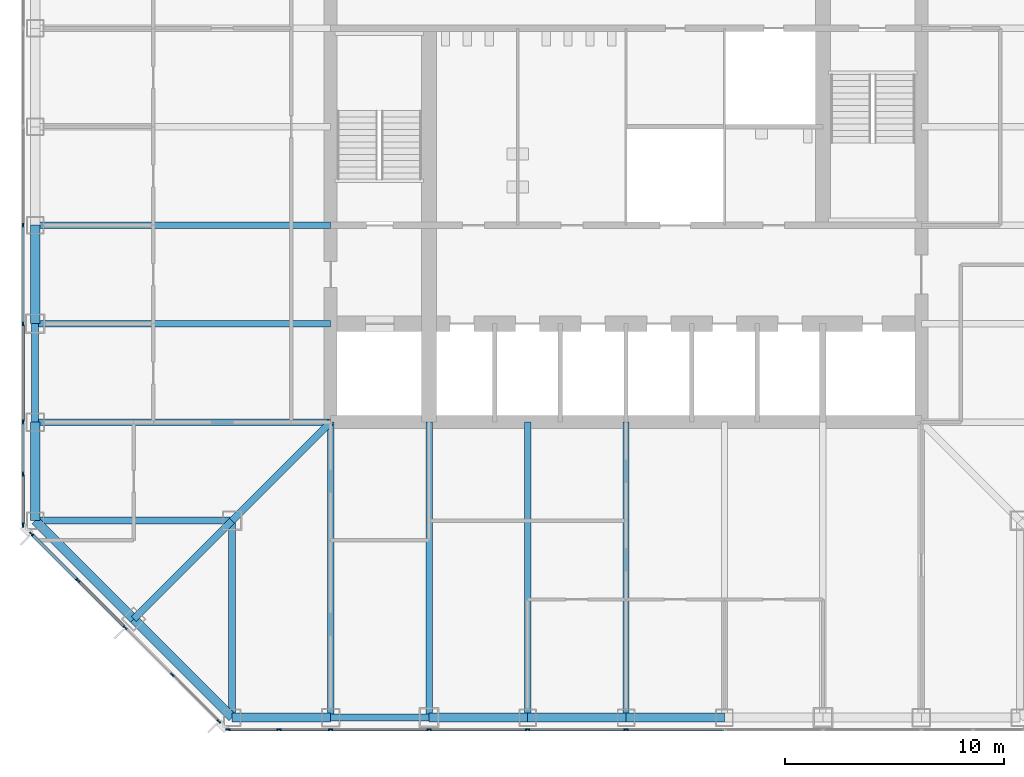
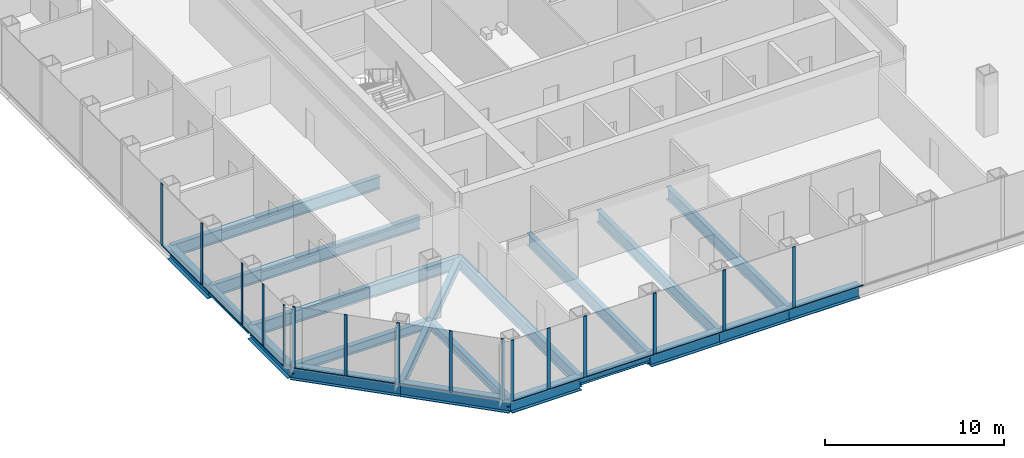
# One storey, part 2 of 12: 28 members, 21 beams, 3 elements without a shape of their own.
"""IFC4 building model written with IfcOpenShell, lengths in metres."""

from ifc_helpers import new_model, si_unit, direction, frame, origin, origin_2d, place, context, subcontext, project, spatial, rectangle, i_section, extrude, material, material_profile, profile_set, type_object, element, aggregate, save


model = new_model("IFC4")

# Units and contexts
model_context = context("Model", 3, precision=1e-05, world=origin(), true_north=direction((0.0, 1.0)))
body_context = subcontext(model_context, "Body", "Model", "MODEL_VIEW")
ifc_project = project(units=[si_unit("LENGTHUNIT", "METRE"), si_unit("AREAUNIT", "SQUARE_METRE"), si_unit("VOLUMEUNIT", "CUBIC_METRE"), si_unit("PLANEANGLEUNIT", "RADIAN"), si_unit("MASSUNIT", "GRAM", prefix="KILO")], contexts=[model_context])

# Site, building, storey
site_placement = place(None, origin())
site = spatial("IfcSite", under=ifc_project, at=site_placement, CompositionType="ELEMENT")
building_placement = place(site_placement, origin())
building = spatial("IfcBuilding", under=site, at=building_placement, Name="Corais Broadcast Tower", CompositionType="ELEMENT")
storey_placement = place(building_placement, frame((0.0, 0.0, 92.0)))
storey = spatial("IfcBuildingStorey", under=building, at=storey_placement, Name="L20", CompositionType="ELEMENT", Elevation=92.0)

# Beams
ifc_material_1 = material(Name="Steel ASTM A572 Grade 50", Category="steel")
ifc_material_profile_1 = material_profile(ifc_material_1, i_section(OverallWidth=0.323974609375, OverallDepth=0.611083984375, WebThickness=0.0126953125, FlangeThickness=0.01904296875, at=origin_2d()), Name="W610x155")
ifc_profile_set_1 = profile_set([ifc_material_profile_1], Name="Steel ASTM A572 Grade 50")
beam_type_1 = type_object("IfcBeamType", Name="Chamfer tie W610x155", PredefinedType="BEAM", material=ifc_profile_set_1)
beam_1_placement = place(storey_placement, frame((4.5, 4.5, -0.465576171875), z_axis=(0.707106781187, 0.707106781187, 0.0), x_axis=(-0.707106781187, 0.707106781187, 0.0)))
element("IfcBeam", 1, at=beam_1_placement, inside=storey, type_object=beam_type_1, Name="B5 B/4 to C/5", PredefinedType="BEAM", context=body_context, shape_type="SweptSolid", body=[
    extrude(i_section(OverallWidth=0.323974609375, OverallDepth=0.611083984375, WebThickness=0.0126953125, FlangeThickness=0.01904296875, at=origin_2d()), origin(), (0.0, 0.0, 1.0), 6.364013671875),
])
ifc_material_2 = material(Name="Steel ASTM A572 Grade 50", Category="steel")
ifc_material_profile_2 = material_profile(ifc_material_2, i_section(OverallWidth=0.323974609375, OverallDepth=0.611083984375, WebThickness=0.0126953125, FlangeThickness=0.01904296875, at=origin_2d()), Name="W610x155")
ifc_profile_set_2 = profile_set([ifc_material_profile_2], Name="Steel ASTM A572 Grade 50")
beam_type_2 = type_object("IfcBeamType", Name="Corner diagonal W610x155", PredefinedType="BEAM", material=ifc_profile_set_2)
beam_2_placement = place(storey_placement, frame((9.0, 9.0, -0.465576171875), z_axis=(0.707106781187, 0.707106781187, 0.0), x_axis=(-0.707106781187, 0.707106781187, 0.0)))
element("IfcBeam", 2, at=beam_2_placement, inside=storey, type_object=beam_type_2, Name="B6 C/5 to D/6", PredefinedType="BEAM", context=body_context, shape_type="SweptSolid", body=[
    extrude(i_section(OverallWidth=0.323974609375, OverallDepth=0.611083984375, WebThickness=0.0126953125, FlangeThickness=0.01904296875, at=origin_2d()), origin(), (0.0, 0.0, 1.0), 6.364013671875),
])
ifc_material_3 = material(Name="Steel ASTM A572 Grade 50", Category="steel")
ifc_material_profile_3 = material_profile(ifc_material_3, i_section(OverallWidth=0.323974609375, OverallDepth=0.611083984375, WebThickness=0.0126953125, FlangeThickness=0.01904296875, at=origin_2d()), Name="W610x155")
ifc_profile_set_3 = profile_set([ifc_material_profile_3], Name="Steel ASTM A572 Grade 50")
beam_type_3 = type_object("IfcBeamType", Name="Corner girder W610x155", PredefinedType="BEAM", material=ifc_profile_set_3)
for number, where, z_axis, x_axis, name in (
    (3, (0.0, 9.0, -0.465576171875), (1.0, 0.0, 0.0), (0.0, 1.0, 0.0), "B4 C/3 to C/5"),
    (4, (9.0, 0.0, -0.465576171875), (0.0, 1.0, 0.0), (-1.0, 0.0, 0.0), "B4 A/5 to C/5"),
):
    element("IfcBeam", number, at=place(storey_placement, frame(where, z_axis=z_axis, x_axis=x_axis)), inside=storey, type_object=beam_type_3, Name=name, PredefinedType="BEAM", context=body_context, shape_type="SweptSolid", body=[
        extrude(i_section(OverallWidth=0.323974609375, OverallDepth=0.611083984375, WebThickness=0.0126953125, FlangeThickness=0.01904296875, at=origin_2d()), origin(), (0.0, 0.0, 1.0), 9.0),
    ])
ifc_material_4 = material(Name="Steel ASTM A572 Grade 50", Category="steel")
ifc_material_profile_4 = material_profile(ifc_material_4, i_section(OverallWidth=0.2939453125, OverallDepth=0.85107421875, WebThickness=0.01611328125, FlangeThickness=0.02685546875, at=origin_2d()), Name="W840x226")
ifc_profile_set_4 = profile_set([ifc_material_profile_4], Name="Steel ASTM A572 Grade 50")
beam_type_4 = type_object("IfcBeamType", Name="Floor beam W840x226", PredefinedType="BEAM", material=ifc_profile_set_4)
for number, where, z_axis, x_axis, name in (
    (5, (0.0, 13.5, -0.58544921875), (1.0, 0.0, 0.0), (0.0, 1.0, 0.0), "B1 D/3 to D/6"),
    (6, (0.0, 18.0, -0.58544921875), (1.0, 0.0, 0.0), (0.0, 1.0, 0.0), "B1 E/3 to E/6"),
    (7, (0.0, 22.5, -0.58544921875), (1.0, 0.0, 0.0), (0.0, 1.0, 0.0), "B1 F/3 to F/6"),
    (8, (13.5, 0.0, -0.58544921875), (0.0, 1.0, 0.0), (-1.0, 0.0, 0.0), "B1 A/6 to D/6"),
    (9, (18.0, 0.0, -0.58544921875), (0.0, 1.0, 0.0), (-1.0, 0.0, 0.0), "B1 A/7 to D/7"),
    (10, (22.5, 0.0, -0.58544921875), (0.0, 1.0, 0.0), (-1.0, 0.0, 0.0), "B1 A/8 to D/8"),
    (11, (27.0, 0.0, -0.58544921875), (0.0, 1.0, 0.0), (-1.0, 0.0, 0.0), "B1 A/9 to D/9"),
):
    element("IfcBeam", number, at=place(storey_placement, frame(where, z_axis=z_axis, x_axis=x_axis)), inside=storey, type_object=beam_type_4, Name=name, PredefinedType="BEAM", context=body_context, shape_type="SweptSolid", body=[
        extrude(i_section(OverallWidth=0.2939453125, OverallDepth=0.85107421875, WebThickness=0.01611328125, FlangeThickness=0.02685546875, at=origin_2d()), origin(), (0.0, 0.0, 1.0), 13.5),
    ])

# Curtain wall, members
ifc_material_5 = material(Name="Aluminium and glass", Category="aluminium")
curtain_wall_type = type_object("IfcCurtainWallType", Name="Unitised fritted curtain wall CW1", PredefinedType="NOTDEFINED", material=ifc_material_5)
curtain_wall_1_placement = place(storey_placement, origin())
curtain_wall_1 = element("IfcCurtainWall", 12, at=curtain_wall_1_placement, inside=storey, type_object=curtain_wall_type, Name="CW1 curtain wall L20 1", PredefinedType="NOTDEFINED")
ifc_material_6 = material(Name="Aluminium 6063-T6", Category="aluminium")
ifc_material_profile_5 = material_profile(ifc_material_6, rectangle(XDim=0.06494140625, YDim=0.199951171875, at=origin_2d()), Name="Mullion CW1 65x200")
ifc_profile_set_5 = profile_set([ifc_material_profile_5], Name="Aluminium 6063-T6")
member_type_1 = type_object("IfcMemberType", Name="Mullion CW1 65x200", PredefinedType="MULLION", material=ifc_profile_set_5)
member_1_placement = place(storey_placement, frame((8.3955078125, -0.17333984375, 0.0), z_axis=(0.0, 0.0, 1.0), x_axis=(-0.707106781187, -0.707106781187, 0.0)))
member_1 = element("IfcMember", 13, at=member_1_placement, type_object=member_type_1, Name="CW1 mullion 1", PredefinedType="MULLION", context=body_context, shape_type="SweptSolid", body=[
    extrude(rectangle(XDim=0.06494140625, YDim=0.199951171875, at=origin_2d()), origin(), (0.0, 0.0, 1.0), 4.199951171875),
])
member_2_placement = place(storey_placement, frame((6.264892578125, 1.957275390625, 0.0), z_axis=(0.0, 0.0, 1.0), x_axis=(-0.707106781187, -0.707106781187, 0.0)))
member_2 = element("IfcMember", 14, at=member_2_placement, type_object=member_type_1, Name="CW1 mullion 2", PredefinedType="MULLION", context=body_context, shape_type="SweptSolid", body=[
    extrude(rectangle(XDim=0.06494140625, YDim=0.199951171875, at=origin_2d()), origin(), (0.0, 0.0, 1.0), 4.199951171875),
])
member_3_placement = place(storey_placement, frame((4.111083984375, 4.111083984375, 0.0), z_axis=(0.0, 0.0, 1.0), x_axis=(-0.707106781187, -0.707106781187, 0.0)))
member_3 = element("IfcMember", 15, at=member_3_placement, type_object=member_type_1, Name="CW1 mullion 3", PredefinedType="MULLION", context=body_context, shape_type="SweptSolid", body=[
    extrude(rectangle(XDim=0.06494140625, YDim=0.199951171875, at=origin_2d()), origin(), (0.0, 0.0, 1.0), 4.199951171875),
])
member_4_placement = place(storey_placement, frame((1.957275390625, 6.264892578125, 0.0), z_axis=(0.0, 0.0, 1.0), x_axis=(-0.707106781187, -0.707106781187, 0.0)))
member_4 = element("IfcMember", 16, at=member_4_placement, type_object=member_type_1, Name="CW1 mullion 4", PredefinedType="MULLION", context=body_context, shape_type="SweptSolid", body=[
    extrude(rectangle(XDim=0.06494140625, YDim=0.199951171875, at=origin_2d()), origin(), (0.0, 0.0, 1.0), 4.199951171875),
])
member_5_placement = place(storey_placement, frame((-0.17333984375, 8.3955078125, 0.0), z_axis=(0.0, 0.0, 1.0), x_axis=(-0.707106781187, -0.707106781187, 0.0)))
member_5 = element("IfcMember", 17, at=member_5_placement, type_object=member_type_1, Name="CW1 mullion 5", PredefinedType="MULLION", context=body_context, shape_type="SweptSolid", body=[
    extrude(rectangle(XDim=0.06494140625, YDim=0.199951171875, at=origin_2d()), origin(), (0.0, 0.0, 1.0), 4.199951171875),
])

curtain_wall_2_placement = place(storey_placement, origin())
curtain_wall_2 = element("IfcCurtainWall", 18, at=curtain_wall_2_placement, inside=storey, type_object=curtain_wall_type, Name="CW1 curtain wall L20 2", PredefinedType="NOTDEFINED")
member_6_placement = place(storey_placement, frame((-0.550048828125, 8.8046875, 0.0), z_axis=(0.0, 0.0, 1.0), x_axis=(-1.0, 0.0, 0.0)))
member_6 = element("IfcMember", 19, at=member_6_placement, type_object=member_type_1, Name="CW1 mullion 1", PredefinedType="MULLION", context=body_context, shape_type="SweptSolid", body=[
    extrude(rectangle(XDim=0.06494140625, YDim=0.199951171875, at=origin_2d()), origin(), (0.0, 0.0, 1.0), 4.199951171875),
])
member_7_placement = place(storey_placement, frame((-0.550048828125, 11.135986328125, 0.0), z_axis=(0.0, 0.0, 1.0), x_axis=(-1.0, 0.0, 0.0)))
member_7 = element("IfcMember", 20, at=member_7_placement, type_object=member_type_1, Name="CW1 mullion 2", PredefinedType="MULLION", context=body_context, shape_type="SweptSolid", body=[
    extrude(rectangle(XDim=0.06494140625, YDim=0.199951171875, at=origin_2d()), origin(), (0.0, 0.0, 1.0), 4.199951171875),
])
member_8_placement = place(storey_placement, frame((-0.550048828125, 13.5, 0.0), z_axis=(0.0, 0.0, 1.0), x_axis=(-1.0, 0.0, 0.0)))
member_8 = element("IfcMember", 21, at=member_8_placement, type_object=member_type_1, Name="CW1 mullion 3", PredefinedType="MULLION", context=body_context, shape_type="SweptSolid", body=[
    extrude(rectangle(XDim=0.06494140625, YDim=0.199951171875, at=origin_2d()), origin(), (0.0, 0.0, 1.0), 4.199951171875),
])
member_9_placement = place(storey_placement, frame((-0.550048828125, 18.0, 0.0), z_axis=(0.0, 0.0, 1.0), x_axis=(-1.0, 0.0, 0.0)))
member_9 = element("IfcMember", 22, at=member_9_placement, type_object=member_type_1, Name="CW1 mullion 4", PredefinedType="MULLION", context=body_context, shape_type="SweptSolid", body=[
    extrude(rectangle(XDim=0.06494140625, YDim=0.199951171875, at=origin_2d()), origin(), (0.0, 0.0, 1.0), 4.199951171875),
])
member_10_placement = place(storey_placement, frame((-0.550048828125, 22.5, 0.0), z_axis=(0.0, 0.0, 1.0), x_axis=(-1.0, 0.0, 0.0)))
member_10 = element("IfcMember", 23, at=member_10_placement, type_object=member_type_1, Name="CW1 mullion 5", PredefinedType="MULLION", context=body_context, shape_type="SweptSolid", body=[
    extrude(rectangle(XDim=0.06494140625, YDim=0.199951171875, at=origin_2d()), origin(), (0.0, 0.0, 1.0), 4.199951171875),
])

curtain_wall_3_placement = place(storey_placement, origin())
curtain_wall_3 = element("IfcCurtainWall", 24, at=curtain_wall_3_placement, inside=storey, type_object=curtain_wall_type, Name="CW1 curtain wall L20 8", PredefinedType="NOTDEFINED")
member_11_placement = place(storey_placement, frame((27.0, -0.550048828125, 0.0), z_axis=(0.0, 0.0, 1.0), x_axis=(0.0, -1.0, 0.0)))
member_11 = element("IfcMember", 25, at=member_11_placement, type_object=member_type_1, Name="CW1 mullion 6", PredefinedType="MULLION", context=body_context, shape_type="SweptSolid", body=[
    extrude(rectangle(XDim=0.06494140625, YDim=0.199951171875, at=origin_2d()), origin(), (0.0, 0.0, 1.0), 4.199951171875),
])
member_12_placement = place(storey_placement, frame((22.5, -0.550048828125, 0.0), z_axis=(0.0, 0.0, 1.0), x_axis=(0.0, -1.0, 0.0)))
member_12 = element("IfcMember", 26, at=member_12_placement, type_object=member_type_1, Name="CW1 mullion 7", PredefinedType="MULLION", context=body_context, shape_type="SweptSolid", body=[
    extrude(rectangle(XDim=0.06494140625, YDim=0.199951171875, at=origin_2d()), origin(), (0.0, 0.0, 1.0), 4.199951171875),
])
member_13_placement = place(storey_placement, frame((18.0, -0.550048828125, 0.0), z_axis=(0.0, 0.0, 1.0), x_axis=(0.0, -1.0, 0.0)))
member_13 = element("IfcMember", 27, at=member_13_placement, type_object=member_type_1, Name="CW1 mullion 8", PredefinedType="MULLION", context=body_context, shape_type="SweptSolid", body=[
    extrude(rectangle(XDim=0.06494140625, YDim=0.199951171875, at=origin_2d()), origin(), (0.0, 0.0, 1.0), 4.199951171875),
])
member_14_placement = place(storey_placement, frame((13.5, -0.550048828125, 0.0), z_axis=(0.0, 0.0, 1.0), x_axis=(0.0, -1.0, 0.0)))
member_14 = element("IfcMember", 28, at=member_14_placement, type_object=member_type_1, Name="CW1 mullion 9", PredefinedType="MULLION", context=body_context, shape_type="SweptSolid", body=[
    extrude(rectangle(XDim=0.06494140625, YDim=0.199951171875, at=origin_2d()), origin(), (0.0, 0.0, 1.0), 4.199951171875),
])
member_15_placement = place(storey_placement, frame((11.135986328125, -0.550048828125, 0.0), z_axis=(0.0, 0.0, 1.0), x_axis=(0.0, -1.0, 0.0)))
member_15 = element("IfcMember", 29, at=member_15_placement, type_object=member_type_1, Name="CW1 mullion 10", PredefinedType="MULLION", context=body_context, shape_type="SweptSolid", body=[
    extrude(rectangle(XDim=0.06494140625, YDim=0.199951171875, at=origin_2d()), origin(), (0.0, 0.0, 1.0), 4.199951171875),
])
member_16_placement = place(storey_placement, frame((8.8046875, -0.550048828125, 0.0), z_axis=(0.0, 0.0, 1.0), x_axis=(0.0, -1.0, 0.0)))
member_16 = element("IfcMember", 30, at=member_16_placement, type_object=member_type_1, Name="CW1 mullion 11", PredefinedType="MULLION", context=body_context, shape_type="SweptSolid", body=[
    extrude(rectangle(XDim=0.06494140625, YDim=0.199951171875, at=origin_2d()), origin(), (0.0, 0.0, 1.0), 4.199951171875),
])

# Beams
ifc_material_7 = material(Name="Steel ASTM A572 Grade 50", Category="steel")
ifc_material_profile_6 = material_profile(ifc_material_7, i_section(OverallWidth=0.323974609375, OverallDepth=0.611083984375, WebThickness=0.0126953125, FlangeThickness=0.01904296875, at=origin_2d()), Name="W610x155")
ifc_profile_set_6 = profile_set([ifc_material_profile_6], Name="Steel ASTM A572 Grade 50")
beam_type_5 = type_object("IfcBeamType", Name="Pinned spandrel W610x155", PredefinedType="BEAM", material=ifc_profile_set_6)
for number, where, z_axis, x_axis, name in (
    (31, (0.0, 18.0, -0.465576171875), (0.0, -1.0, 0.0), (1.0, 0.0, 0.0), "SB6 E/3 to D/3"),
    (32, (13.5, 0.0, -0.465576171875), (1.0, 0.0, 0.0), (0.0, 1.0, 0.0), "SB6 A/6 to A/7"),
):
    element("IfcBeam", number, at=place(storey_placement, frame(where, z_axis=z_axis, x_axis=x_axis)), inside=storey, type_object=beam_type_5, Name=name, PredefinedType="BEAM", context=body_context, shape_type="SweptSolid", body=[
        extrude(i_section(OverallWidth=0.323974609375, OverallDepth=0.611083984375, WebThickness=0.0126953125, FlangeThickness=0.01904296875, at=origin_2d()), origin(), (0.0, 0.0, 1.0), 4.5),
    ])
ifc_material_8 = material(Name="Steel ASTM A572 Grade 50", Category="steel")
ifc_material_profile_7 = material_profile(ifc_material_8, i_section(OverallWidth=0.4189453125, OverallDepth=0.94189453125, WebThickness=0.022216796875, FlangeThickness=0.03662109375, at=origin_2d()), Name="W920x345")
ifc_profile_set_7 = profile_set([ifc_material_profile_7], Name="Steel ASTM A572 Grade 50")
beam_type_6 = type_object("IfcBeamType", Name="Transfer spandrel W920x345", PredefinedType="BEAM", material=ifc_profile_set_7)
for number, where, z_axis, x_axis, name in (
    (33, (0.0, 13.5, -0.631103515625), (0.0, -1.0, 0.0), (1.0, 0.0, 0.0), "SB4 D/3 to C/3"),
    (34, (0.0, 22.5, -0.631103515625), (0.0, -1.0, 0.0), (1.0, 0.0, 0.0), "SB4 F/3 to E/3"),
):
    element("IfcBeam", number, at=place(storey_placement, frame(where, z_axis=z_axis, x_axis=x_axis)), inside=storey, type_object=beam_type_6, Name=name, PredefinedType="BEAM", context=body_context, shape_type="SweptSolid", body=[
        extrude(i_section(OverallWidth=0.4189453125, OverallDepth=0.94189453125, WebThickness=0.022216796875, FlangeThickness=0.03662109375, at=origin_2d()), origin(), (0.0, 0.0, 1.0), 4.5),
    ])
beam_3_placement = place(storey_placement, frame((0.0, 9.0, -0.631103515625), z_axis=(0.707106781187, -0.707106781187, 0.0), x_axis=(0.707106781187, 0.707106781187, 0.0)))
element("IfcBeam", 35, at=beam_3_placement, inside=storey, type_object=beam_type_6, Name="SB4 C/3 to B/4", PredefinedType="BEAM", context=body_context, shape_type="SweptSolid", body=[
    extrude(i_section(OverallWidth=0.4189453125, OverallDepth=0.94189453125, WebThickness=0.022216796875, FlangeThickness=0.03662109375, at=origin_2d()), origin(), (0.0, 0.0, 1.0), 6.364013671875),
])
for number, where, z_axis, x_axis, name in (
    (36, (18.0, 0.0, -0.631103515625), (1.0, 0.0, 0.0), (0.0, 1.0, 0.0), "SB4 A/7 to A/8"),
    (37, (22.5, 0.0, -0.631103515625), (1.0, 0.0, 0.0), (0.0, 1.0, 0.0), "SB4 A/8 to A/9"),
    (38, (27.0, 0.0, -0.631103515625), (1.0, 0.0, 0.0), (0.0, 1.0, 0.0), "SB4 A/9 to A/10"),
):
    element("IfcBeam", number, at=place(storey_placement, frame(where, z_axis=z_axis, x_axis=x_axis)), inside=storey, type_object=beam_type_6, Name=name, PredefinedType="BEAM", context=body_context, shape_type="SweptSolid", body=[
        extrude(i_section(OverallWidth=0.4189453125, OverallDepth=0.94189453125, WebThickness=0.022216796875, FlangeThickness=0.03662109375, at=origin_2d()), origin(), (0.0, 0.0, 1.0), 4.5),
    ])
beam_4_placement = place(storey_placement, frame((4.5, 4.5, -0.631103515625), z_axis=(0.707106781187, -0.707106781187, 0.0), x_axis=(0.707106781187, 0.707106781187, 0.0)))
element("IfcBeam", 39, at=beam_4_placement, inside=storey, type_object=beam_type_6, Name="SB4 B/4 to A/5", PredefinedType="BEAM", context=body_context, shape_type="SweptSolid", body=[
    extrude(i_section(OverallWidth=0.4189453125, OverallDepth=0.94189453125, WebThickness=0.022216796875, FlangeThickness=0.03662109375, at=origin_2d()), origin(), (0.0, 0.0, 1.0), 6.364013671875),
])
beam_5_placement = place(storey_placement, frame((9.0, 0.0, -0.631103515625), z_axis=(1.0, 0.0, 0.0), x_axis=(0.0, 1.0, 0.0)))
element("IfcBeam", 40, at=beam_5_placement, inside=storey, type_object=beam_type_6, Name="SB4 A/5 to A/6", PredefinedType="BEAM", context=body_context, shape_type="SweptSolid", body=[
    extrude(i_section(OverallWidth=0.4189453125, OverallDepth=0.94189453125, WebThickness=0.022216796875, FlangeThickness=0.03662109375, at=origin_2d()), origin(), (0.0, 0.0, 1.0), 4.5),
])

# Member
ifc_material_9 = material(Name="Aluminium 6063-T6", Category="aluminium")
ifc_material_profile_8 = material_profile(ifc_material_9, rectangle(XDim=0.139892578125, YDim=0.06494140625, at=origin_2d()), Name="Transom CW1 65x140")
ifc_profile_set_8 = profile_set([ifc_material_profile_8], Name="Aluminium 6063-T6")
member_type_2 = type_object("IfcMemberType", Name="Transom CW1 65x140", PredefinedType="USERDEFINED", material=ifc_profile_set_8)
member_17_placement = place(storey_placement, frame((4.088134765625, 4.134033203125, 0.032470703125), z_axis=(-0.707106781187, 0.707106781187, 0.0), x_axis=(-0.707106781187, -0.707106781187, 0.0)))
member_17 = element("IfcMember", 41, at=member_17_placement, type_object=member_type_2, Name="CW1 transom 3.1", ObjectType="TRANSOM", PredefinedType="USERDEFINED", context=body_context, shape_type="SweptSolid", body=[
    extrude(rectangle(XDim=0.139892578125, YDim=0.06494140625, at=origin_2d()), origin(), (0.0, 0.0, 1.0), 2.98095703125),
])

member_18_placement = place(storey_placement, frame((1.934326171875, 6.287841796875, 0.032470703125), z_axis=(-0.707106781187, 0.707106781187, 0.0), x_axis=(-0.707106781187, -0.707106781187, 0.0)))
member_18 = element("IfcMember", 42, at=member_18_placement, type_object=member_type_2, Name="CW1 transom 4.1", ObjectType="TRANSOM", PredefinedType="USERDEFINED", context=body_context, shape_type="SweptSolid", body=[
    extrude(rectangle(XDim=0.139892578125, YDim=0.06494140625, at=origin_2d()), origin(), (0.0, 0.0, 1.0), 2.9482421875),
])

aggregate(curtain_wall_1, [member_1, member_2, member_3, member_4, member_5, member_17, member_18])

member_19_placement = place(storey_placement, frame((-0.550048828125, 8.837158203125, 0.032470703125), z_axis=(0.0, 1.0, 0.0), x_axis=(-1.0, 0.0, 0.0)))
member_19 = element("IfcMember", 43, at=member_19_placement, type_object=member_type_2, Name="CW1 transom 1.1", ObjectType="TRANSOM", PredefinedType="USERDEFINED", context=body_context, shape_type="SweptSolid", body=[
    extrude(rectangle(XDim=0.139892578125, YDim=0.06494140625, at=origin_2d()), origin(), (0.0, 0.0, 1.0), 2.266357421875),
])

member_20_placement = place(storey_placement, frame((-0.550048828125, 11.168701171875, 0.032470703125), z_axis=(0.0, 1.0, 0.0), x_axis=(-1.0, 0.0, 0.0)))
member_20 = element("IfcMember", 44, at=member_20_placement, type_object=member_type_2, Name="CW1 transom 2.1", ObjectType="TRANSOM", PredefinedType="USERDEFINED", context=body_context, shape_type="SweptSolid", body=[
    extrude(rectangle(XDim=0.139892578125, YDim=0.06494140625, at=origin_2d()), origin(), (0.0, 0.0, 1.0), 2.298828125),
])

member_21_placement = place(storey_placement, frame((-0.550048828125, 13.532470703125, 0.032470703125), z_axis=(0.0, 1.0, 0.0), x_axis=(-1.0, 0.0, 0.0)))
member_21 = element("IfcMember", 45, at=member_21_placement, type_object=member_type_2, Name="CW1 transom 3.1", ObjectType="TRANSOM", PredefinedType="USERDEFINED", context=body_context, shape_type="SweptSolid", body=[
    extrude(rectangle(XDim=0.139892578125, YDim=0.06494140625, at=origin_2d()), origin(), (0.0, 0.0, 1.0), 4.43505859375),
])

member_22_placement = place(storey_placement, frame((-0.550048828125, 18.032470703125, 0.032470703125), z_axis=(0.0, 1.0, 0.0), x_axis=(-1.0, 0.0, 0.0)))
member_22 = element("IfcMember", 46, at=member_22_placement, type_object=member_type_2, Name="CW1 transom 4.1", ObjectType="TRANSOM", PredefinedType="USERDEFINED", context=body_context, shape_type="SweptSolid", body=[
    extrude(rectangle(XDim=0.139892578125, YDim=0.06494140625, at=origin_2d()), origin(), (0.0, 0.0, 1.0), 4.43505859375),
])

aggregate(curtain_wall_2, [member_6, member_7, member_8, member_9, member_10, member_19, member_20, member_21, member_22])

member_23_placement = place(storey_placement, frame((31.467529296875, -0.550048828125, 0.032470703125), z_axis=(-1.0, 0.0, 0.0), x_axis=(0.0, -1.0, 0.0)))
member_23 = element("IfcMember", 47, at=member_23_placement, type_object=member_type_2, Name="CW1 transom 5.1", ObjectType="TRANSOM", PredefinedType="USERDEFINED", context=body_context, shape_type="SweptSolid", body=[
    extrude(rectangle(XDim=0.139892578125, YDim=0.06494140625, at=origin_2d()), origin(), (0.0, 0.0, 1.0), 4.43505859375),
])

member_24_placement = place(storey_placement, frame((26.967529296875, -0.550048828125, 0.032470703125), z_axis=(-1.0, 0.0, 0.0), x_axis=(0.0, -1.0, 0.0)))
member_24 = element("IfcMember", 48, at=member_24_placement, type_object=member_type_2, Name="CW1 transom 6.1", ObjectType="TRANSOM", PredefinedType="USERDEFINED", context=body_context, shape_type="SweptSolid", body=[
    extrude(rectangle(XDim=0.139892578125, YDim=0.06494140625, at=origin_2d()), origin(), (0.0, 0.0, 1.0), 4.43505859375),
])

member_25_placement = place(storey_placement, frame((22.467529296875, -0.550048828125, 0.032470703125), z_axis=(-1.0, 0.0, 0.0), x_axis=(0.0, -1.0, 0.0)))
member_25 = element("IfcMember", 49, at=member_25_placement, type_object=member_type_2, Name="CW1 transom 7.1", ObjectType="TRANSOM", PredefinedType="USERDEFINED", context=body_context, shape_type="SweptSolid", body=[
    extrude(rectangle(XDim=0.139892578125, YDim=0.06494140625, at=origin_2d()), origin(), (0.0, 0.0, 1.0), 4.43505859375),
])

member_26_placement = place(storey_placement, frame((17.967529296875, -0.550048828125, 0.032470703125), z_axis=(-1.0, 0.0, 0.0), x_axis=(0.0, -1.0, 0.0)))
member_26 = element("IfcMember", 50, at=member_26_placement, type_object=member_type_2, Name="CW1 transom 8.1", ObjectType="TRANSOM", PredefinedType="USERDEFINED", context=body_context, shape_type="SweptSolid", body=[
    extrude(rectangle(XDim=0.139892578125, YDim=0.06494140625, at=origin_2d()), origin(), (0.0, 0.0, 1.0), 4.43505859375),
])

member_27_placement = place(storey_placement, frame((13.467529296875, -0.550048828125, 0.032470703125), z_axis=(-1.0, 0.0, 0.0), x_axis=(0.0, -1.0, 0.0)))
member_27 = element("IfcMember", 51, at=member_27_placement, type_object=member_type_2, Name="CW1 transom 9.1", ObjectType="TRANSOM", PredefinedType="USERDEFINED", context=body_context, shape_type="SweptSolid", body=[
    extrude(rectangle(XDim=0.139892578125, YDim=0.06494140625, at=origin_2d()), origin(), (0.0, 0.0, 1.0), 2.298828125),
])

member_28_placement = place(storey_placement, frame((11.103515625, -0.550048828125, 0.032470703125), z_axis=(-1.0, 0.0, 0.0), x_axis=(0.0, -1.0, 0.0)))
member_28 = element("IfcMember", 52, at=member_28_placement, type_object=member_type_2, Name="CW1 transom 10.1", ObjectType="TRANSOM", PredefinedType="USERDEFINED", context=body_context, shape_type="SweptSolid", body=[
    extrude(rectangle(XDim=0.139892578125, YDim=0.06494140625, at=origin_2d()), origin(), (0.0, 0.0, 1.0), 2.266357421875),
])

aggregate(curtain_wall_3, [member_11, member_12, member_13, member_14, member_15, member_16, member_23, member_24, member_25, member_26, member_27, member_28])

save(model, "model.ifc")
